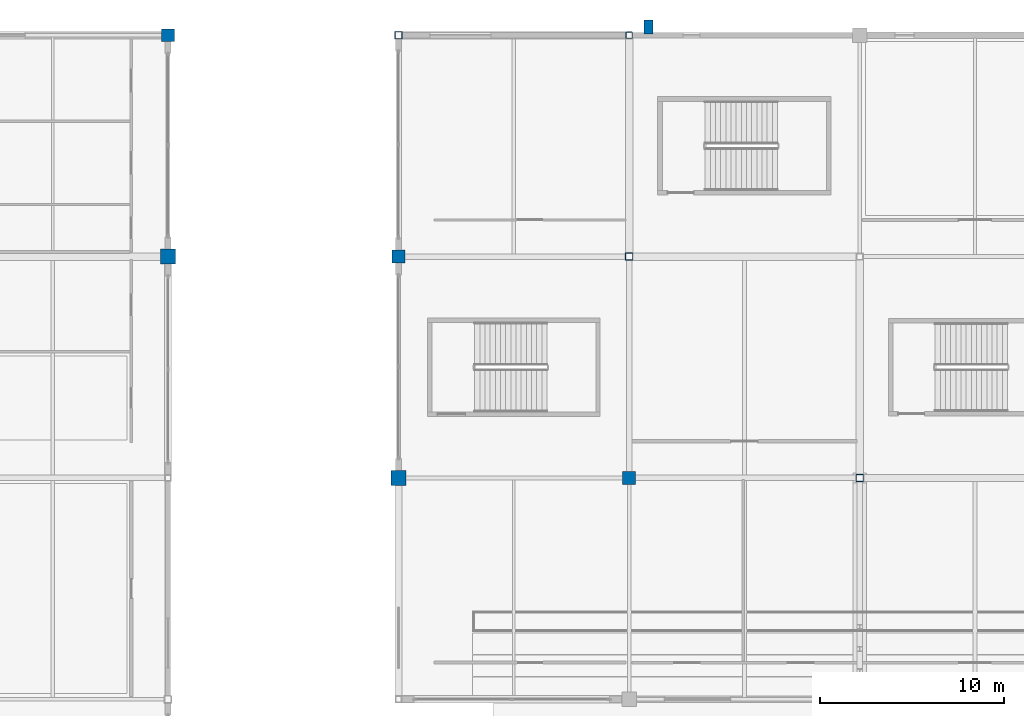
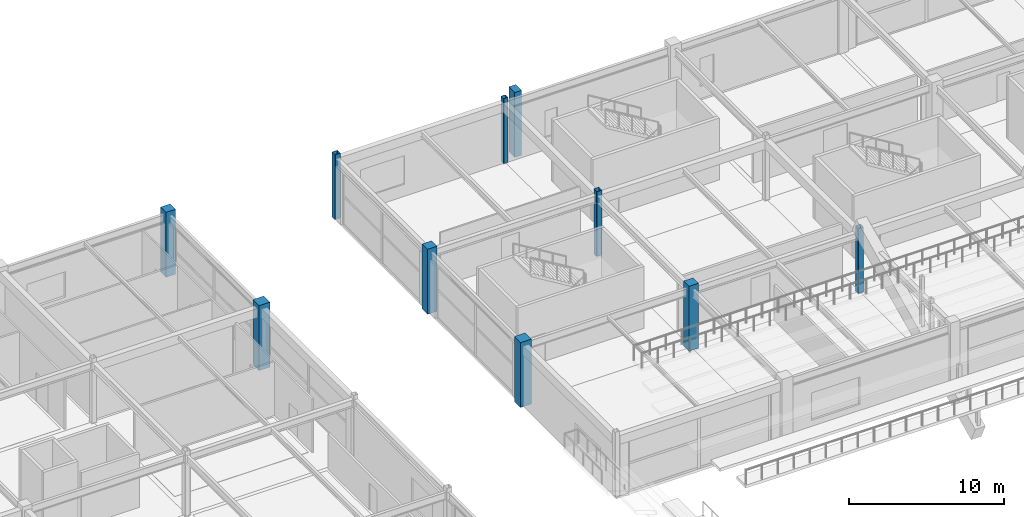
# One storey, part 20 of 128: 10 columns.
"""IFC4 building model written with IfcOpenShell, lengths in metres."""

from ifc_helpers import new_model, si_unit, direction, frame, origin, origin_2d, place, context, subcontext, project, spatial, rectangle, hollow_rectangle, extrude, material, material_profile, profile_set, type_object, element, save


model = new_model("IFC4")

# Units and contexts
model_context = context("Model", 3, precision=1e-05, world=origin(), true_north=direction((0.0, 1.0)))
body_context = subcontext(model_context, "Body", "Model", "MODEL_VIEW")
ifc_project = project(units=[si_unit("LENGTHUNIT", "METRE"), si_unit("AREAUNIT", "SQUARE_METRE"), si_unit("VOLUMEUNIT", "CUBIC_METRE"), si_unit("PLANEANGLEUNIT", "RADIAN"), si_unit("MASSUNIT", "GRAM", prefix="KILO")], contexts=[model_context])

# Site, building, storey
site_placement = place(None, origin())
site = spatial("IfcSite", under=ifc_project, at=site_placement, CompositionType="ELEMENT")
building_placement = place(site_placement, origin())
building = spatial("IfcBuilding", under=site, at=building_placement, Name="Kazenohara Klinker Stadium", CompositionType="ELEMENT")
storey_placement = place(building_placement, frame((0.0, 0.0, 15.300048828125)))
storey = spatial("IfcBuildingStorey", under=building, at=storey_placement, Name="L03", CompositionType="ELEMENT", Elevation=15.300048828125)

# Columns
ifc_material_1 = material(Name="Concrete C40/50", Category="concrete")
ifc_material_profile_1 = material_profile(ifc_material_1, rectangle(XDim=0.800048828125, YDim=0.800048828125, at=origin_2d()), Name="RC-COL-800x800")
ifc_profile_set_1 = profile_set([ifc_material_profile_1], Name="Concrete C40/50")
column_type_1 = type_object("IfcColumnType", Name="COL-RC05", PredefinedType="COLUMN", material=ifc_profile_set_1)
for number, where, z_axis, x_axis, name in (
    (1, (36.5, 156.0, 0.0), (0.0, 0.0, 1.0), (1.0, 0.0, 0.0), "Column C05 L03 4/P"),
    (2, (49.0, 144.0, 0.0), (0.0, 0.0, 1.0), (1.0, 0.0, 0.0), "Column C05 L03 5/N"),
):
    element("IfcColumn", number, at=place(storey_placement, frame(where, z_axis=z_axis, x_axis=x_axis)), inside=storey, type_object=column_type_1, Name=name, PredefinedType="COLUMN", context=body_context, shape_type="SweptSolid", body=[
        extrude(rectangle(XDim=0.800048828125, YDim=0.800048828125, at=origin_2d()), origin(), (0.0, 0.0, 1.0), 5.099853515625),
    ])
ifc_material_profile_2 = material_profile(ifc_material_1, rectangle(XDim=0.699951171875, YDim=0.699951171875, at=origin_2d()), Name="RC-COL-700x700")
ifc_profile_set_2 = profile_set([ifc_material_profile_2], Name="Concrete C40/50")
column_type_2 = type_object("IfcColumnType", Name="COL-RC06", PredefinedType="COLUMN", material=ifc_profile_set_2)
for number, where, z_axis, x_axis, name in (
    (3, (36.5, 168.0, 0.0), (0.0, 0.0, 1.0), (1.0, 0.0, 0.0), "Column C06 L03 4/Q"),
    (4, (49.0, 156.0, 0.0), (0.0, 0.0, 1.0), (1.0, 0.0, 0.0), "Column C06 L03 5/P"),
    (5, (61.5, 144.0, 0.0), (0.0, 0.0, 1.0), (1.0, 0.0, 0.0), "Column C06 L03 6/N"),
):
    element("IfcColumn", number, at=place(storey_placement, frame(where, z_axis=z_axis, x_axis=x_axis)), inside=storey, type_object=column_type_2, Name=name, PredefinedType="COLUMN", context=body_context, shape_type="SweptSolid", body=[
        extrude(rectangle(XDim=0.699951171875, YDim=0.699951171875, at=origin_2d()), origin(), (0.0, 0.0, 1.0), 5.099853515625),
    ])
ifc_material_2 = material(Name="Steel S355", Category="steel")
ifc_material_profile_3 = material_profile(ifc_material_2, hollow_rectangle(XDim=0.39990234375, YDim=0.39990234375, WallThickness=0.01611328125, InnerFilletRadius=0.01611328125, OuterFilletRadius=0.031982421875, at=origin_2d()), Name="SHS-400x400x16")
ifc_profile_set_3 = profile_set([ifc_material_profile_3], Name="Steel S355")
column_type_3 = type_object("IfcColumnType", Name="COL-ST01", PredefinedType="COLUMN", material=ifc_profile_set_3)
for number, where, z_axis, x_axis, name in (
    (6, (49.0, 168.0, 0.0), (0.0, 0.0, 1.0), (1.0, 0.0, 0.0), "Column SC01 L03 5/Q"),
    (7, (61.5, 156.0, 0.0), (0.0, 0.0, 1.0), (1.0, 0.0, 0.0), "Column SC01 L03 6/P"),
    (8, (74.0, 144.0, 0.0), (0.0, 0.0, 1.0), (1.0, 0.0, 0.0), "Column SC01 L03 7/N"),
):
    element("IfcColumn", number, at=place(storey_placement, frame(where, z_axis=z_axis, x_axis=x_axis)), inside=storey, type_object=column_type_3, Name=name, PredefinedType="COLUMN", context=body_context, shape_type="SweptSolid", body=[
        extrude(hollow_rectangle(XDim=0.39990234375, YDim=0.39990234375, WallThickness=0.01611328125, InnerFilletRadius=0.01611328125, OuterFilletRadius=0.031982421875, at=origin_2d()), origin(), (0.0, 0.0, 1.0), 5.099853515625),
    ])
ifc_material_profile_4 = material_profile(ifc_material_2, hollow_rectangle(XDim=0.35009765625, YDim=0.35009765625, WallThickness=0.01611328125, InnerFilletRadius=0.01611328125, OuterFilletRadius=0.031982421875, at=origin_2d()), Name="SHS-350x350x16")
ifc_profile_set_4 = profile_set([ifc_material_profile_4], Name="Steel S355")
column_type_4 = type_object("IfcColumnType", Name="COL-ST02", PredefinedType="COLUMN", material=ifc_profile_set_4)
column_1_placement = place(storey_placement, frame((61.5, 168.0, 0.0), z_axis=(0.0, 0.0, 1.0), x_axis=(1.0, 0.0, 0.0)))
element("IfcColumn", 9, at=column_1_placement, inside=storey, type_object=column_type_4, Name="Column SC02 L03 6/Q", PredefinedType="COLUMN", context=body_context, shape_type="SweptSolid", body=[
    extrude(hollow_rectangle(XDim=0.35009765625, YDim=0.35009765625, WallThickness=0.01611328125, InnerFilletRadius=0.01611328125, OuterFilletRadius=0.031982421875, at=origin_2d()), origin(), (0.0, 0.0, 1.0), 5.099853515625),
])
ifc_material_profile_5 = material_profile(ifc_material_1, rectangle(XDim=0.5, YDim=0.75, at=origin_2d()), Name="RC-PILASTER-500x750")
ifc_profile_set_5 = profile_set([ifc_material_profile_5], Name="Concrete C40/50")
column_type_5 = type_object("IfcColumnType", Name="PIL-RC02", PredefinedType="PILASTER", material=ifc_profile_set_5)
column_2_placement = place(storey_placement, frame((62.550048828125, 168.449951171875, 0.0), z_axis=(0.0, 0.0, 1.0), x_axis=(1.0, 0.0, 0.0)))
element("IfcColumn", 10, at=column_2_placement, inside=storey, type_object=column_type_5, Name="Pleated facade pilaster PL02 L03 North-05", PredefinedType="PILASTER", context=body_context, shape_type="SweptSolid", body=[
    extrude(rectangle(XDim=0.5, YDim=0.75, at=origin_2d()), origin(), (0.0, 0.0, 1.0), 5.099853515625),
])

save(model, "model.ifc")
